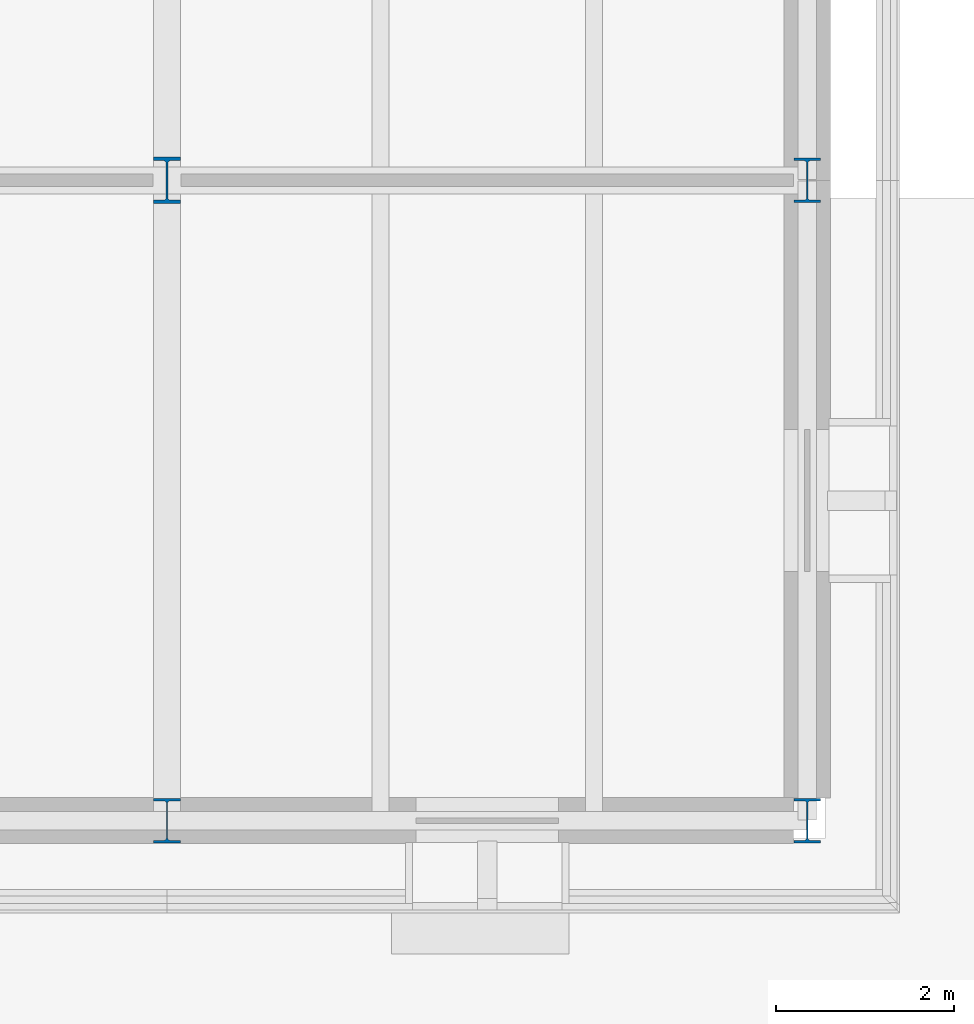
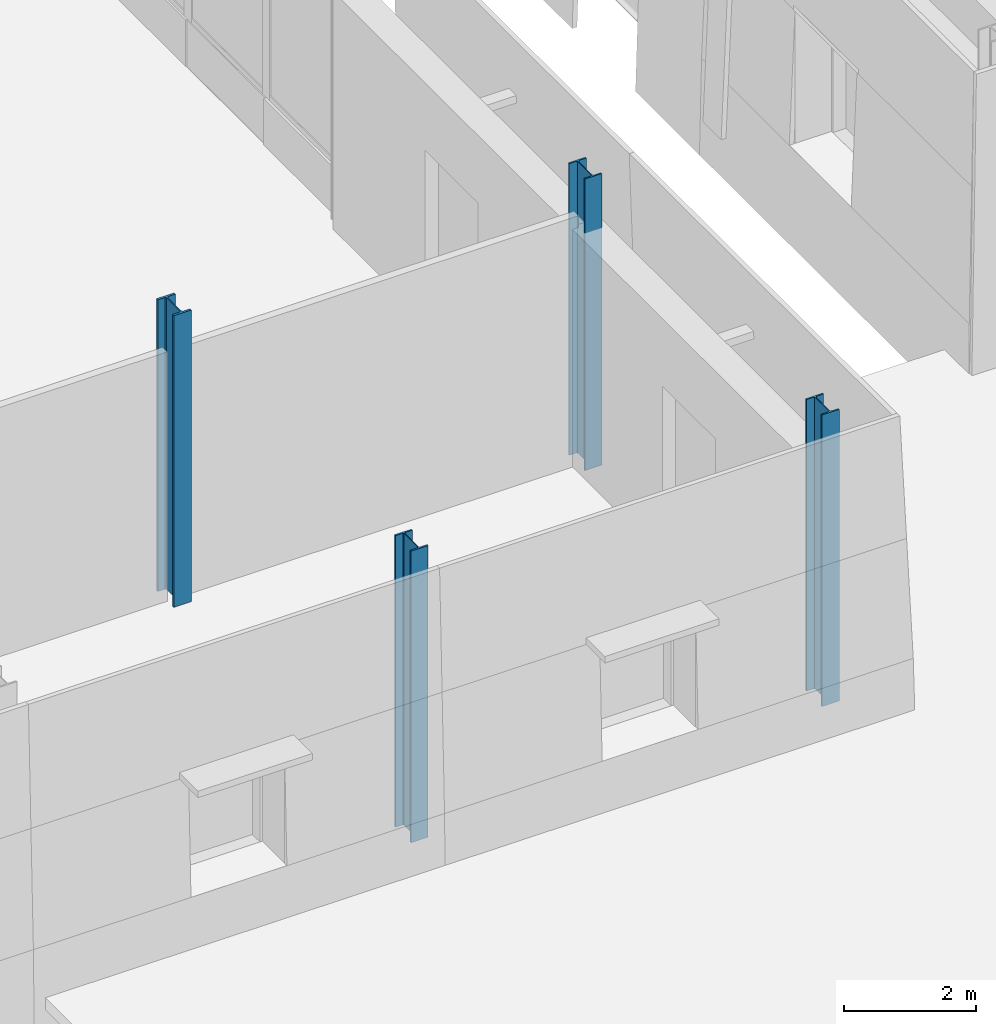
# One storey, part 4 of 120: 4 columns.
"""IFC4 building model written with IfcOpenShell, lengths in metres."""

from ifc_helpers import new_model, si_unit, direction, frame, origin, origin_2d, place, context, subcontext, project, spatial, i_section, extrude, material, material_profile, profile_set, type_object, element, save


model = new_model("IFC4")

# Units and contexts
model_context = context("Model", 3, precision=1e-05, world=origin(), true_north=direction((0.0, 1.0)))
body_context = subcontext(model_context, "Body", "Model", "MODEL_VIEW")
ifc_project = project(units=[si_unit("LENGTHUNIT", "METRE"), si_unit("AREAUNIT", "SQUARE_METRE"), si_unit("VOLUMEUNIT", "CUBIC_METRE"), si_unit("PLANEANGLEUNIT", "RADIAN"), si_unit("MASSUNIT", "GRAM", prefix="KILO")], contexts=[model_context])

# Site, building, storey
site_placement = place(None, origin())
site = spatial("IfcSite", under=ifc_project, at=site_placement, CompositionType="ELEMENT")
building_placement = place(site_placement, origin())
building = spatial("IfcBuilding", under=site, at=building_placement, Name="Narikvali Park Central Library", CompositionType="ELEMENT")
storey_placement = place(building_placement, origin())
storey = spatial("IfcBuildingStorey", under=building, at=storey_placement, Name="L00", CompositionType="ELEMENT", Elevation=0.0)

# Columns
ifc_material = material(Name="Steel S355", Category="steel")
ifc_material_profile_1 = material_profile(ifc_material, i_section(OverallWidth=0.305908203125, OverallDepth=0.52392578125, WebThickness=0.02099609375, FlangeThickness=0.0400390625, FilletRadius=0.027099609375, at=origin_2d()), Name="HEM 500")
ifc_profile_set_1 = profile_set([ifc_material_profile_1], Name="Steel S355")
column_type_1 = type_object("IfcColumnType", Name="Heavy Stack Column HEM500", PredefinedType="COLUMN", material=ifc_profile_set_1)
column_placement = place(storey_placement, frame((50.39990234375, 57.60009765625, 0.0), z_axis=(0.0, 0.0, 1.0), x_axis=(1.0, 0.0, 0.0)))
element("IfcColumn", 1, at=column_placement, inside=storey, type_object=column_type_1, Name="V4 L00 Column (50.4,57.6)", PredefinedType="COLUMN", context=body_context, shape_type="SweptSolid", body=[
    extrude(i_section(OverallWidth=0.305908203125, OverallDepth=0.52392578125, WebThickness=0.02099609375, FlangeThickness=0.0400390625, FilletRadius=0.027099609375, at=origin_2d()), origin(), (0.0, 0.0, 1.0), 5.39990234375),
])
ifc_material_profile_2 = material_profile(ifc_material, i_section(OverallWidth=0.300048828125, OverallDepth=0.5, WebThickness=0.014404296875, FlangeThickness=0.028076171875, FilletRadius=0.027099609375, at=origin_2d()), Name="HEB 500")
ifc_profile_set_2 = profile_set([ifc_material_profile_2], Name="Steel S355")
column_type_2 = type_object("IfcColumnType", Name="Steel Column HEB500", PredefinedType="COLUMN", material=ifc_profile_set_2)
for number, where, z_axis, x_axis, name in (
    (2, (50.39990234375, 50.39990234375, 0.0), (0.0, 0.0, 1.0), (1.0, 0.0, 0.0), "V4 L00 Column (50.4,50.4)"),
    (3, (57.60009765625, 50.39990234375, 0.0), (0.0, 0.0, 1.0), (1.0, 0.0, 0.0), "V4 L00 Column (57.6,50.4)"),
    (4, (57.60009765625, 57.60009765625, 0.0), (0.0, 0.0, 1.0), (1.0, 0.0, 0.0), "V4 L00 Column (57.6,57.6)"),
):
    element("IfcColumn", number, at=place(storey_placement, frame(where, z_axis=z_axis, x_axis=x_axis)), inside=storey, type_object=column_type_2, Name=name, PredefinedType="COLUMN", context=body_context, shape_type="SweptSolid", body=[
        extrude(i_section(OverallWidth=0.300048828125, OverallDepth=0.5, WebThickness=0.014404296875, FlangeThickness=0.028076171875, FilletRadius=0.027099609375, at=origin_2d()), origin(), (0.0, 0.0, 1.0), 5.39990234375),
    ])

save(model, "model.ifc")
